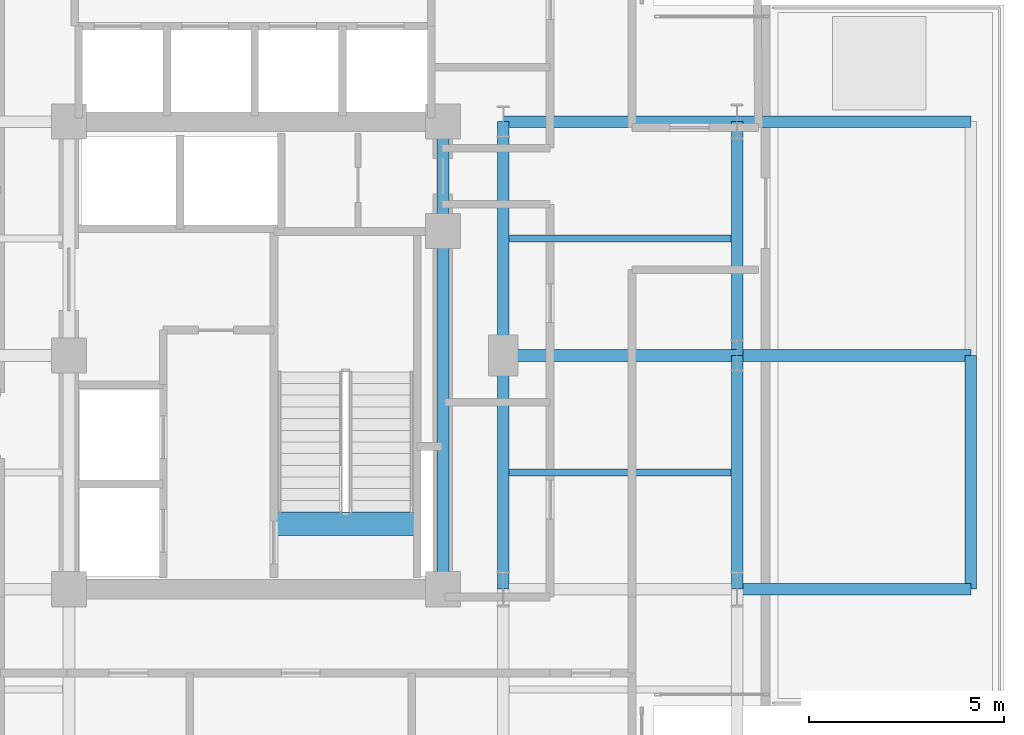
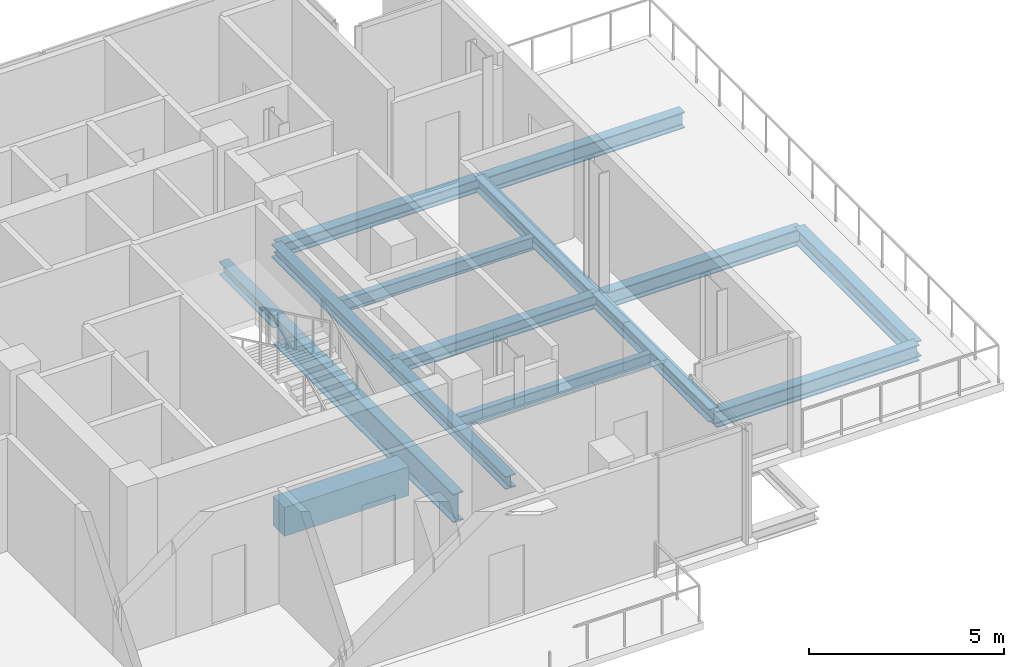
# One storey, part 12 of 28: 15 beams.
"""IFC4 building model written with IfcOpenShell, lengths in metres."""

from ifc_helpers import new_model, si_unit, direction, frame, origin, origin_2d, place, context, subcontext, project, spatial, rectangle, i_section, extrude, material, material_profile, profile_set, type_object, element, save


model = new_model("IFC4")

# Units and contexts
model_context = context("Model", 3, precision=1e-05, world=origin(), true_north=direction((0.0, 1.0)))
body_context = subcontext(model_context, "Body", "Model", "MODEL_VIEW")
ifc_project = project(units=[si_unit("LENGTHUNIT", "METRE"), si_unit("AREAUNIT", "SQUARE_METRE"), si_unit("VOLUMEUNIT", "CUBIC_METRE"), si_unit("PLANEANGLEUNIT", "RADIAN"), si_unit("MASSUNIT", "GRAM", prefix="KILO"), si_unit("THERMODYNAMICTEMPERATUREUNIT", "KELVIN"), si_unit("POWERUNIT", "WATT")], contexts=[model_context])

# Site, building, storey
site_placement = place(None, origin())
site = spatial("IfcSite", under=ifc_project, at=site_placement, CompositionType="ELEMENT")
building_placement = place(site_placement, origin())
building = spatial("IfcBuilding", under=site, at=building_placement, Name="Svarakhadi Broadcast Tower", CompositionType="ELEMENT")
storey_placement = place(building_placement, frame((0.0, 0.0, 169.199951171875)))
storey = spatial("IfcBuildingStorey", under=building, at=storey_placement, Name="L41", CompositionType="ELEMENT", Elevation=169.199951171875)

# Beams
ifc_material_1 = material(Name="Steel S355J2 (IS 2062 E350C)", Category="steel")
ifc_material_profile_1 = material_profile(ifc_material_1, i_section(OverallWidth=0.179931640625, OverallDepth=0.39990234375, WebThickness=0.008544921875, FlangeThickness=0.013427734375, FilletRadius=0.02099609375, at=origin_2d()), Name="NPB 400x180x66")
ifc_profile_set_1 = profile_set([ifc_material_profile_1], Name="Steel S355J2 (IS 2062 E350C)")
beam_type_1 = type_object("IfcBeamType", Name="Beam_NPB400", PredefinedType="BEAM", material=ifc_profile_set_1)
for number, where, z_axis, x_axis, name in (
    (1, (35.31005859375, 9.0, -0.409912109375), (1.0, 0.0, 0.0), (0.0, 1.0, 0.0), "L41 Secondary Composite Beam SB018"),
    (2, (35.31005859375, 15.0, -0.409912109375), (1.0, 0.0, 0.0), (0.0, 1.0, 0.0), "L41 Secondary Composite Beam SB019"),
):
    element("IfcBeam", number, at=place(storey_placement, frame(where, z_axis=z_axis, x_axis=x_axis)), inside=storey, type_object=beam_type_1, Name=name, PredefinedType="BEAM", context=body_context, shape_type="SweptSolid", body=[
        extrude(i_section(OverallWidth=0.179931640625, OverallDepth=0.39990234375, WebThickness=0.008544921875, FlangeThickness=0.013427734375, FilletRadius=0.02099609375, at=origin_2d()), origin(), (0.0, 0.0, 1.0), 5.679931640625),
    ])
ifc_material_2 = material(Name="Concrete C50/60 (IS 456 M60)", Category="concrete")
ifc_material_profile_2 = material_profile(ifc_material_2, rectangle(XDim=0.60009765625, YDim=0.89990234375, at=origin_2d()), Name="RC 600x900")
ifc_profile_set_2 = profile_set([ifc_material_profile_2], Name="Concrete C50/60 (IS 456 M60)")
beam_type_2 = type_object("IfcBeamType", Name="Coupling_RC600", PredefinedType="USERDEFINED", material=ifc_profile_set_2)
beam_1_placement = place(storey_placement, frame((29.260009765625, 7.679931640625, -0.449951171875), z_axis=(1.0, 0.0, 0.0), x_axis=(0.0, 1.0, 0.0)))
element("IfcBeam", 3, at=beam_1_placement, inside=storey, type_object=beam_type_2, Name="L41 Stair ST-02 Landing Throat Trimmer Beam CB-01", ObjectType="GIRDER", PredefinedType="USERDEFINED", context=body_context, shape_type="SweptSolid", body=[
    extrude(rectangle(XDim=0.60009765625, YDim=0.89990234375, at=origin_2d()), origin(), (0.0, 0.0, 1.0), 3.679931640625),
])
ifc_material_profile_3 = material_profile(ifc_material_1, i_section(OverallWidth=0.300048828125, OverallDepth=0.39990234375, WebThickness=0.013427734375, FlangeThickness=0.02392578125, FilletRadius=0.027099609375, at=origin_2d()), Name="WPB 400x300x155")
ifc_profile_set_3 = profile_set([ifc_material_profile_3], Name="Steel S355J2 (IS 2062 E350C)")
beam_type_3 = type_object("IfcBeamType", Name="Girder_WPB400", PredefinedType="USERDEFINED", material=ifc_profile_set_3)
for number, where, z_axis, x_axis, name in (
    (4, (35.14990234375, 12.0, -0.409912109375), (1.0, 0.0, 0.0), (0.0, 1.0, 0.0), "L41 Primary E-W Girder G020"),
    (5, (35.14990234375, 18.0, -0.409912109375), (1.0, 0.0, 0.0), (0.0, 1.0, 0.0), "L41 Primary E-W Girder G026"),
):
    element("IfcBeam", number, at=place(storey_placement, frame(where, z_axis=z_axis, x_axis=x_axis)), inside=storey, type_object=beam_type_3, Name=name, ObjectType="GIRDER", PredefinedType="USERDEFINED", context=body_context, shape_type="SweptSolid", body=[
        extrude(i_section(OverallWidth=0.300048828125, OverallDepth=0.39990234375, WebThickness=0.013427734375, FlangeThickness=0.02392578125, FilletRadius=0.027099609375, at=origin_2d()), origin(), (0.0, 0.0, 1.0), 6.0),
    ])
beam_2_placement = place(storey_placement, frame((33.60009765625, 15.199951171875, -0.409912109375), z_axis=(0.0, 1.0, 0.0), x_axis=(-1.0, 0.0, 0.0)))
element("IfcBeam", 6, at=beam_2_placement, inside=storey, type_object=beam_type_3, Name="L41 Primary N-S Girder G058", ObjectType="GIRDER", PredefinedType="USERDEFINED", context=body_context, shape_type="SweptSolid", body=[
    extrude(i_section(OverallWidth=0.300048828125, OverallDepth=0.39990234375, WebThickness=0.013427734375, FlangeThickness=0.02392578125, FilletRadius=0.027099609375, at=origin_2d()), origin(), (0.0, 0.0, 1.0), 2.800048828125),
])
for number, where, z_axis, x_axis, name in (
    (7, (35.14990234375, 6.0, -0.409912109375), (0.0, 1.0, 0.0), (-1.0, 0.0, 0.0), "L41 Primary N-S Girder G060"),
    (8, (35.14990234375, 12.0, -0.409912109375), (0.0, 1.0, 0.0), (-1.0, 0.0, 0.0), "L41 Primary N-S Girder G061"),
    (9, (41.14990234375, 6.0, -0.409912109375), (0.0, 1.0, 0.0), (-1.0, 0.0, 0.0), "L41 Primary N-S Girder G063"),
    (10, (41.14990234375, 12.0, -0.409912109375), (0.0, 1.0, 0.0), (-1.0, 0.0, 0.0), "L41 Primary N-S Girder G064"),
):
    element("IfcBeam", number, at=place(storey_placement, frame(where, z_axis=z_axis, x_axis=x_axis)), inside=storey, type_object=beam_type_3, Name=name, ObjectType="GIRDER", PredefinedType="USERDEFINED", context=body_context, shape_type="SweptSolid", body=[
        extrude(i_section(OverallWidth=0.300048828125, OverallDepth=0.39990234375, WebThickness=0.013427734375, FlangeThickness=0.02392578125, FilletRadius=0.027099609375, at=origin_2d()), origin(), (0.0, 0.0, 1.0), 6.0),
    ])
ifc_material_profile_4 = material_profile(ifc_material_1, i_section(OverallWidth=0.300048828125, OverallDepth=0.5, WebThickness=0.014404296875, FlangeThickness=0.028076171875, FilletRadius=0.027099609375, at=origin_2d()), Name="WPB 500x300x187")
ifc_profile_set_4 = profile_set([ifc_material_profile_4], Name="Steel S355J2 (IS 2062 E350C)")
beam_type_4 = type_object("IfcBeamType", Name="Girder_WPB500", PredefinedType="USERDEFINED", material=ifc_profile_set_4)
for number, where, z_axis, x_axis, name in (
    (11, (41.14990234375, 6.0, -0.489990234375), (1.0, 0.0, 0.0), (0.0, 1.0, 0.0), "L41 East Setback Terrace Bearer Girder"),
    (12, (41.14990234375, 12.0, -0.489990234375), (1.0, 0.0, 0.0), (0.0, 1.0, 0.0), "L41 East Setback Terrace Bearer Girder"),
    (13, (41.14990234375, 18.0, -0.489990234375), (1.0, 0.0, 0.0), (0.0, 1.0, 0.0), "L41 East Setback Terrace Bearer Girder"),
    (14, (47.14990234375, 6.0, -0.489990234375), (0.0, 1.0, 0.0), (-1.0, 0.0, 0.0), "L41 East Setback Terrace Rim Girder 1"),
):
    element("IfcBeam", number, at=place(storey_placement, frame(where, z_axis=z_axis, x_axis=x_axis)), inside=storey, type_object=beam_type_4, Name=name, ObjectType="GIRDER", PredefinedType="USERDEFINED", context=body_context, shape_type="SweptSolid", body=[
        extrude(i_section(OverallWidth=0.300048828125, OverallDepth=0.5, WebThickness=0.014404296875, FlangeThickness=0.028076171875, FilletRadius=0.027099609375, at=origin_2d()), origin(), (0.0, 0.0, 1.0), 6.0),
    ])
ifc_material_3 = material(Name="Steel S460ML (IS 2062 E450BR)", Category="steel")
ifc_material_profile_5 = material_profile(ifc_material_3, i_section(OverallWidth=0.300048828125, OverallDepth=0.89990234375, WebThickness=0.0185546875, FlangeThickness=0.034912109375, FilletRadius=0.030029296875, at=origin_2d()), Name="WPB 900x300x291")
ifc_profile_set_5 = profile_set([ifc_material_profile_5], Name="Steel S460ML (IS 2062 E450BR)")
beam_type_5 = type_object("IfcBeamType", Name="Girder_WPB900", PredefinedType="USERDEFINED", material=ifc_profile_set_5)
beam_3_placement = place(storey_placement, frame((33.60009765625, 6.0, -0.659912109375), z_axis=(0.0, 1.0, 0.0), x_axis=(-1.0, 0.0, 0.0)))
element("IfcBeam", 15, at=beam_3_placement, inside=storey, type_object=beam_type_5, Name="L41 Primary N-S Girder G057", ObjectType="GIRDER", PredefinedType="USERDEFINED", context=body_context, shape_type="SweptSolid", body=[
    extrude(i_section(OverallWidth=0.300048828125, OverallDepth=0.89990234375, WebThickness=0.0185546875, FlangeThickness=0.034912109375, FilletRadius=0.030029296875, at=origin_2d()), origin(), (0.0, 0.0, 1.0), 9.199951171875),
])

save(model, "model.ifc")
